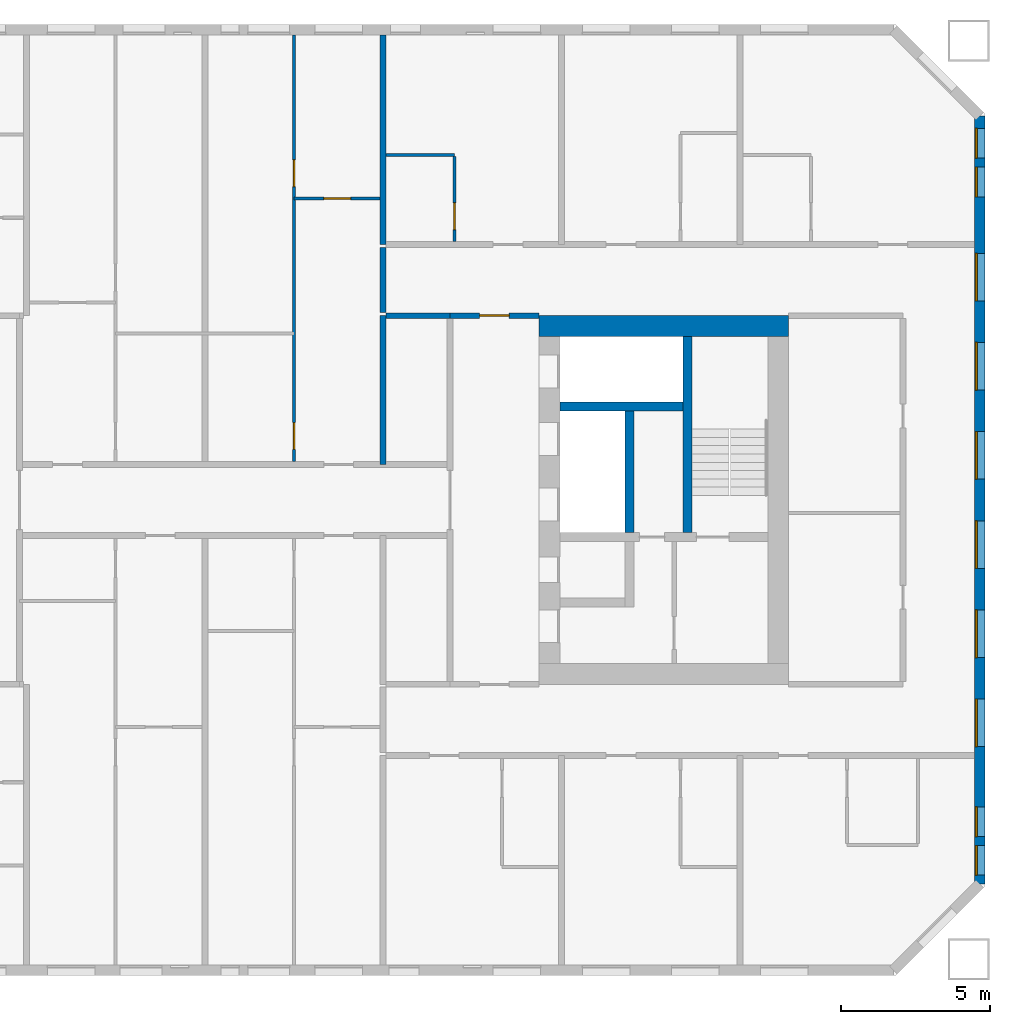
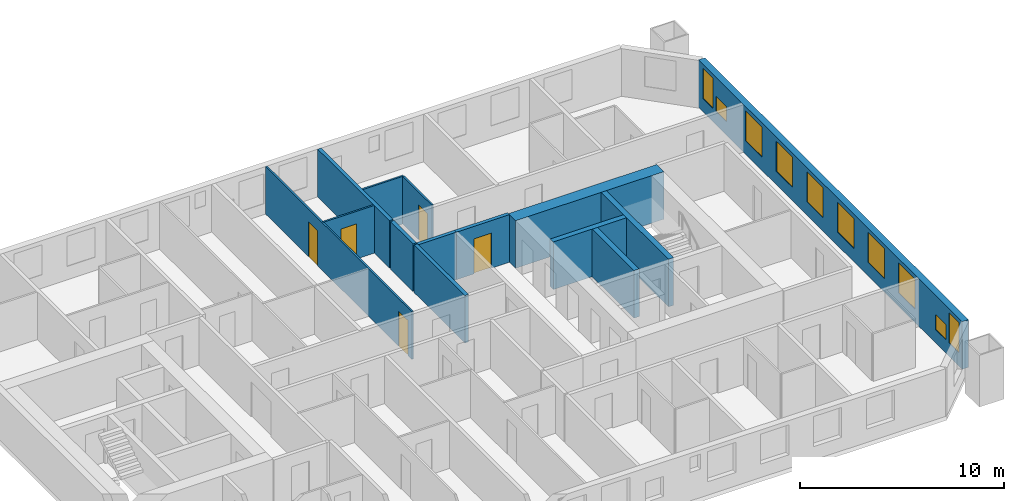
# One storey, part 13 of 17: 14 walls, 10 windows, 5 doors, 15 openings.
"""IFC4 building model written with IfcOpenShell, lengths in metres."""

from ifc_helpers import new_model, si_unit, direction, frame, frame_2d, origin, place, context, subcontext, project, spatial, rectangle, extrude, material, layer, layer_set, type_object, element, fill, save


model = new_model("IFC4")

# Units and contexts
model_context = context("Model", 3, precision=1e-05, world=origin(), true_north=direction((0.0, 1.0)))
body_context = subcontext(model_context, "Body", "Model", "MODEL_VIEW")
ifc_project = project(units=[si_unit("LENGTHUNIT", "METRE"), si_unit("AREAUNIT", "SQUARE_METRE"), si_unit("VOLUMEUNIT", "CUBIC_METRE"), si_unit("PLANEANGLEUNIT", "RADIAN"), si_unit("MASSUNIT", "GRAM", prefix="KILO")], contexts=[model_context])

# Site, building, storey
site_placement = place(None, origin())
site = spatial("IfcSite", under=ifc_project, at=site_placement, CompositionType="ELEMENT")
building_placement = place(site_placement, origin())
building = spatial("IfcBuilding", under=site, at=building_placement, Name="Tuart Gate Housing", CompositionType="ELEMENT")
storey_placement = place(building_placement, frame((0.0, 0.0, 84.0)))
storey = spatial("IfcBuildingStorey", under=building, at=storey_placement, Name="L23", CompositionType="ELEMENT", Elevation=84.0)

# Wall, openings, windows
ifc_material_1 = material(Name="Brick", Category="masonry")
ifc_layer_1 = layer(ifc_material_1, 0.360107421875)
ifc_layer_set_1 = layer_set([ifc_layer_1], Name="Brick pier and spandrel wall 360")
wall_type_1 = type_object("IfcWallType", Name="Brick pier and spandrel wall 360", PredefinedType="STANDARD", material=ifc_layer_set_1)
wall_1_placement = place(storey_placement, frame((175.070068359375, 57.07470703125, 0.0), z_axis=(0.0, 0.0, 1.0), x_axis=(0.0, 1.0, 0.0)))
wall_1 = element("IfcWall", 1, at=wall_1_placement, inside=storey, type_object=wall_type_1, Name="External wall B-E L23", PredefinedType="STANDARD", context=body_context, shape_type="SweptSolid", body=[
    extrude(rectangle(XDim=25.850830078125, YDim=0.360107421875, at=frame_2d((12.92529296875, 0.0))), origin(), (0.0, 0.0, 1.0), 2.85009765625),
])
opening_1_placement = place(wall_1_placement, frame((0.300048828125, 0.0, 0.800048828125)))
opening_1 = element("IfcOpeningElement", 2, at=opening_1_placement, cuts=wall_1, Name="Opening W1C", PredefinedType="OPENING", context=body_context, shape_type="SweptSolid", body=[
    extrude(rectangle(XDim=1.0, YDim=1.800048828125, at=frame_2d((0.5, 0.89990234375))), frame((0.0, 0.18994140625, 0.0), z_axis=(0.0, -1.0, 0.0), x_axis=(1.0, 0.0, 0.0)), (0.0, 0.0, 1.0), 0.380126953125),
])
opening_2_placement = place(wall_1_placement, frame((4.62548828125, 0.0, 0.800048828125)))
opening_2 = element("IfcOpeningElement", 3, at=opening_2_placement, cuts=wall_1, Name="Opening W1", PredefinedType="OPENING", context=body_context, shape_type="SweptSolid", body=[
    extrude(rectangle(XDim=1.60009765625, YDim=1.800048828125, at=frame_2d((0.800048828125, 0.89990234375))), frame((0.0, 0.18994140625, 0.0), z_axis=(0.0, -1.0, 0.0), x_axis=(1.0, 0.0, 0.0)), (0.0, 0.0, 1.0), 0.380126953125),
])
opening_3_placement = place(wall_1_placement, frame((7.62548828125, 0.0, 0.800048828125)))
opening_3 = element("IfcOpeningElement", 4, at=opening_3_placement, cuts=wall_1, Name="Opening W1", PredefinedType="OPENING", context=body_context, shape_type="SweptSolid", body=[
    extrude(rectangle(XDim=1.60009765625, YDim=1.800048828125, at=frame_2d((0.800048828125, 0.89990234375))), frame((0.0, 0.18994140625, 0.0), z_axis=(0.0, -1.0, 0.0), x_axis=(1.0, 0.0, 0.0)), (0.0, 0.0, 1.0), 0.380126953125),
])
opening_4_placement = place(wall_1_placement, frame((10.62548828125, 0.0, 0.800048828125)))
opening_4 = element("IfcOpeningElement", 5, at=opening_4_placement, cuts=wall_1, Name="Opening W1", PredefinedType="OPENING", context=body_context, shape_type="SweptSolid", body=[
    extrude(rectangle(XDim=1.60009765625, YDim=1.800048828125, at=frame_2d((0.800048828125, 0.89990234375))), frame((0.0, 0.18994140625, 0.0), z_axis=(0.0, -1.0, 0.0), x_axis=(1.0, 0.0, 0.0)), (0.0, 0.0, 1.0), 0.380126953125),
])
opening_5_placement = place(wall_1_placement, frame((13.62548828125, 0.0, 0.800048828125)))
opening_5 = element("IfcOpeningElement", 6, at=opening_5_placement, cuts=wall_1, Name="Opening W1", PredefinedType="OPENING", context=body_context, shape_type="SweptSolid", body=[
    extrude(rectangle(XDim=1.60009765625, YDim=1.800048828125, at=frame_2d((0.800048828125, 0.89990234375))), frame((0.0, 0.18994140625, 0.0), z_axis=(0.0, -1.0, 0.0), x_axis=(1.0, 0.0, 0.0)), (0.0, 0.0, 1.0), 0.380126953125),
])
opening_6_placement = place(wall_1_placement, frame((16.62548828125, 0.0, 0.800048828125)))
opening_6 = element("IfcOpeningElement", 7, at=opening_6_placement, cuts=wall_1, Name="Opening W1", PredefinedType="OPENING", context=body_context, shape_type="SweptSolid", body=[
    extrude(rectangle(XDim=1.60009765625, YDim=1.800048828125, at=frame_2d((0.800048828125, 0.89990234375))), frame((0.0, 0.18994140625, 0.0), z_axis=(0.0, -1.0, 0.0), x_axis=(1.0, 0.0, 0.0)), (0.0, 0.0, 1.0), 0.380126953125),
])
opening_7_placement = place(wall_1_placement, frame((19.62548828125, 0.0, 0.800048828125)))
opening_7 = element("IfcOpeningElement", 8, at=opening_7_placement, cuts=wall_1, Name="Opening W1", PredefinedType="OPENING", context=body_context, shape_type="SweptSolid", body=[
    extrude(rectangle(XDim=1.60009765625, YDim=1.800048828125, at=frame_2d((0.800048828125, 0.89990234375))), frame((0.0, 0.18994140625, 0.0), z_axis=(0.0, -1.0, 0.0), x_axis=(1.0, 0.0, 0.0)), (0.0, 0.0, 1.0), 0.380126953125),
])
opening_8_placement = place(wall_1_placement, frame((23.12548828125, 0.0, 0.800048828125)))
opening_8 = element("IfcOpeningElement", 9, at=opening_8_placement, cuts=wall_1, Name="Opening W1U", PredefinedType="OPENING", context=body_context, shape_type="SweptSolid", body=[
    extrude(rectangle(XDim=1.0, YDim=0.89990234375, at=frame_2d((0.5, 0.449951171875))), frame((0.0, 0.18994140625, 0.0), z_axis=(0.0, -1.0, 0.0), x_axis=(1.0, 0.0, 0.0)), (0.0, 0.0, 1.0), 0.380126953125),
])
opening_9_placement = place(wall_1_placement, frame((1.60009765625, 0.0, 0.800048828125)))
opening_9 = element("IfcOpeningElement", 10, at=opening_9_placement, cuts=wall_1, Name="Opening W1U", PredefinedType="OPENING", context=body_context, shape_type="SweptSolid", body=[
    extrude(rectangle(XDim=1.0, YDim=0.89990234375, at=frame_2d((0.5, 0.449951171875))), frame((0.0, 0.18994140625, 0.0), z_axis=(0.0, -1.0, 0.0), x_axis=(1.0, 0.0, 0.0)), (0.0, 0.0, 1.0), 0.380126953125),
])
opening_10_placement = place(wall_1_placement, frame((24.42529296875, 0.0, 0.800048828125)))
opening_10 = element("IfcOpeningElement", 11, at=opening_10_placement, cuts=wall_1, Name="Opening W1C", PredefinedType="OPENING", context=body_context, shape_type="SweptSolid", body=[
    extrude(rectangle(XDim=1.0, YDim=1.800048828125, at=frame_2d((0.5, 0.89990234375))), frame((0.0, 0.18994140625, 0.0), z_axis=(0.0, -1.0, 0.0), x_axis=(1.0, 0.0, 0.0)), (0.0, 0.0, 1.0), 0.380126953125),
])
ifc_material_2 = material(Name="Aluminium frame with clear glass", Category="aluminium")
window_type_1 = type_object("IfcWindowType", Name="Punched window 1000 x 1800", PartitioningType="SINGLE_PANEL", PredefinedType="WINDOW", material=ifc_material_2)
window_1_placement = place(opening_1_placement, origin())
window_1 = element("IfcWindow", 12, at=window_1_placement, inside=storey, type_object=window_type_1, Name="Window W1C", OverallHeight=1.800048828125, OverallWidth=1.0, PartitioningType="SINGLE_PANEL", PredefinedType="WINDOW", context=body_context, shape_type="SweptSolid", body=[
    extrude(rectangle(XDim=1.0, YDim=1.800048828125, at=frame_2d((0.5, 0.89990234375))), frame((0.0, 0.150146484375, 0.0), z_axis=(0.0, -1.0, 0.0), x_axis=(1.0, 0.0, 0.0)), (0.0, 0.0, 1.0), 0.06005859375),
])
fill(opening_1, window_1)
window_2_placement = place(opening_10_placement, origin())
window_2 = element("IfcWindow", 13, at=window_2_placement, inside=storey, type_object=window_type_1, Name="Window W1C", OverallHeight=1.800048828125, OverallWidth=1.0, PartitioningType="SINGLE_PANEL", PredefinedType="WINDOW", context=body_context, shape_type="SweptSolid", body=[
    extrude(rectangle(XDim=1.0, YDim=1.800048828125, at=frame_2d((0.5, 0.89990234375))), frame((0.0, 0.150146484375, 0.0), z_axis=(0.0, -1.0, 0.0), x_axis=(1.0, 0.0, 0.0)), (0.0, 0.0, 1.0), 0.06005859375),
])
fill(opening_10, window_2)
ifc_material_3 = material(Name="Aluminium frame with clear glass", Category="aluminium")
window_type_2 = type_object("IfcWindowType", Name="Punched window 1000 x 900", PartitioningType="SINGLE_PANEL", PredefinedType="WINDOW", material=ifc_material_3)
window_3_placement = place(opening_8_placement, origin())
window_3 = element("IfcWindow", 14, at=window_3_placement, inside=storey, type_object=window_type_2, Name="Window W1U", OverallHeight=0.89990234375, OverallWidth=1.0, PartitioningType="SINGLE_PANEL", PredefinedType="WINDOW", context=body_context, shape_type="SweptSolid", body=[
    extrude(rectangle(XDim=1.0, YDim=0.89990234375, at=frame_2d((0.5, 0.449951171875))), frame((0.0, 0.150146484375, 0.0), z_axis=(0.0, -1.0, 0.0), x_axis=(1.0, 0.0, 0.0)), (0.0, 0.0, 1.0), 0.06005859375),
])
fill(opening_8, window_3)
window_4_placement = place(opening_9_placement, origin())
window_4 = element("IfcWindow", 15, at=window_4_placement, inside=storey, type_object=window_type_2, Name="Window W1U", OverallHeight=0.89990234375, OverallWidth=1.0, PartitioningType="SINGLE_PANEL", PredefinedType="WINDOW", context=body_context, shape_type="SweptSolid", body=[
    extrude(rectangle(XDim=1.0, YDim=0.89990234375, at=frame_2d((0.5, 0.449951171875))), frame((0.0, 0.150146484375, 0.0), z_axis=(0.0, -1.0, 0.0), x_axis=(1.0, 0.0, 0.0)), (0.0, 0.0, 1.0), 0.06005859375),
])
fill(opening_9, window_4)
ifc_material_4 = material(Name="Aluminium frame with clear glass", Category="aluminium")
window_type_3 = type_object("IfcWindowType", Name="Punched window 1600 x 1800", PartitioningType="SINGLE_PANEL", PredefinedType="WINDOW", material=ifc_material_4)
window_5_placement = place(opening_2_placement, origin())
window_5 = element("IfcWindow", 16, at=window_5_placement, inside=storey, type_object=window_type_3, Name="Window W1", OverallHeight=1.800048828125, OverallWidth=1.60009765625, PartitioningType="SINGLE_PANEL", PredefinedType="WINDOW", context=body_context, shape_type="SweptSolid", body=[
    extrude(rectangle(XDim=1.60009765625, YDim=1.800048828125, at=frame_2d((0.800048828125, 0.89990234375))), frame((0.0, 0.150146484375, 0.0), z_axis=(0.0, -1.0, 0.0), x_axis=(1.0, 0.0, 0.0)), (0.0, 0.0, 1.0), 0.06005859375),
])
fill(opening_2, window_5)
window_6_placement = place(opening_3_placement, origin())
window_6 = element("IfcWindow", 17, at=window_6_placement, inside=storey, type_object=window_type_3, Name="Window W1", OverallHeight=1.800048828125, OverallWidth=1.60009765625, PartitioningType="SINGLE_PANEL", PredefinedType="WINDOW", context=body_context, shape_type="SweptSolid", body=[
    extrude(rectangle(XDim=1.60009765625, YDim=1.800048828125, at=frame_2d((0.800048828125, 0.89990234375))), frame((0.0, 0.150146484375, 0.0), z_axis=(0.0, -1.0, 0.0), x_axis=(1.0, 0.0, 0.0)), (0.0, 0.0, 1.0), 0.06005859375),
])
fill(opening_3, window_6)
window_7_placement = place(opening_4_placement, origin())
window_7 = element("IfcWindow", 18, at=window_7_placement, inside=storey, type_object=window_type_3, Name="Window W1", OverallHeight=1.800048828125, OverallWidth=1.60009765625, PartitioningType="SINGLE_PANEL", PredefinedType="WINDOW", context=body_context, shape_type="SweptSolid", body=[
    extrude(rectangle(XDim=1.60009765625, YDim=1.800048828125, at=frame_2d((0.800048828125, 0.89990234375))), frame((0.0, 0.150146484375, 0.0), z_axis=(0.0, -1.0, 0.0), x_axis=(1.0, 0.0, 0.0)), (0.0, 0.0, 1.0), 0.06005859375),
])
fill(opening_4, window_7)
window_8_placement = place(opening_5_placement, origin())
window_8 = element("IfcWindow", 19, at=window_8_placement, inside=storey, type_object=window_type_3, Name="Window W1", OverallHeight=1.800048828125, OverallWidth=1.60009765625, PartitioningType="SINGLE_PANEL", PredefinedType="WINDOW", context=body_context, shape_type="SweptSolid", body=[
    extrude(rectangle(XDim=1.60009765625, YDim=1.800048828125, at=frame_2d((0.800048828125, 0.89990234375))), frame((0.0, 0.150146484375, 0.0), z_axis=(0.0, -1.0, 0.0), x_axis=(1.0, 0.0, 0.0)), (0.0, 0.0, 1.0), 0.06005859375),
])
fill(opening_5, window_8)
window_9_placement = place(opening_6_placement, origin())
window_9 = element("IfcWindow", 20, at=window_9_placement, inside=storey, type_object=window_type_3, Name="Window W1", OverallHeight=1.800048828125, OverallWidth=1.60009765625, PartitioningType="SINGLE_PANEL", PredefinedType="WINDOW", context=body_context, shape_type="SweptSolid", body=[
    extrude(rectangle(XDim=1.60009765625, YDim=1.800048828125, at=frame_2d((0.800048828125, 0.89990234375))), frame((0.0, 0.150146484375, 0.0), z_axis=(0.0, -1.0, 0.0), x_axis=(1.0, 0.0, 0.0)), (0.0, 0.0, 1.0), 0.06005859375),
])
fill(opening_6, window_9)
window_10_placement = place(opening_7_placement, origin())
window_10 = element("IfcWindow", 21, at=window_10_placement, inside=storey, type_object=window_type_3, Name="Window W1", OverallHeight=1.800048828125, OverallWidth=1.60009765625, PartitioningType="SINGLE_PANEL", PredefinedType="WINDOW", context=body_context, shape_type="SweptSolid", body=[
    extrude(rectangle(XDim=1.60009765625, YDim=1.800048828125, at=frame_2d((0.800048828125, 0.89990234375))), frame((0.0, 0.150146484375, 0.0), z_axis=(0.0, -1.0, 0.0), x_axis=(1.0, 0.0, 0.0)), (0.0, 0.0, 1.0), 0.06005859375),
])
fill(opening_7, window_10)

# Walls
ifc_material_5 = material(Name="Concrete C50", Category="concrete")
ifc_layer_2 = layer(ifc_material_5, 0.300048828125)
ifc_layer_set_2 = layer_set([ifc_layer_2], Name="Core wall 300 C50")
wall_type_2 = type_object("IfcWallType", Name="Core wall 300 C50", PredefinedType="SHEAR", material=ifc_layer_set_2)
wall_2_placement = place(storey_placement, frame((160.93994140625, 73.14990234375, 0.0), z_axis=(0.0, 0.0, 1.0), x_axis=(1.0, 0.0, 0.0)))
element("IfcWall", 22, at=wall_2_placement, inside=storey, type_object=wall_type_2, Name="Core wall BK.1", PredefinedType="SHEAR", context=body_context, shape_type="SweptSolid", body=[
    extrude(rectangle(XDim=4.150146484375, YDim=0.300048828125, at=frame_2d((2.0751953125, 0.0))), origin(), (0.0, 0.0, 1.0), 2.85009765625),
])
wall_3_placement = place(storey_placement, frame((163.2900390625, 73.0, 0.0), z_axis=(0.0, 0.0, 1.0), x_axis=(0.0, -1.0, 0.0)))
element("IfcWall", 23, at=wall_3_placement, inside=storey, type_object=wall_type_2, Name="Core wall BK.4", PredefinedType="SHEAR", context=body_context, shape_type="SweptSolid", body=[
    extrude(rectangle(XDim=4.10009765625, YDim=0.300048828125, at=frame_2d((2.050048828125, 0.0))), origin(), (0.0, 0.0, 1.0), 2.85009765625),
])
wall_4_placement = place(storey_placement, frame((165.239990234375, 75.5, 0.0), z_axis=(0.0, 0.0, 1.0), x_axis=(0.0, -1.0, 0.0)))
element("IfcWall", 24, at=wall_4_placement, inside=storey, type_object=wall_type_2, Name="Core wall BK.7", PredefinedType="SHEAR", context=body_context, shape_type="SweptSolid", body=[
    extrude(rectangle(XDim=6.60009765625, YDim=0.300048828125, at=frame_2d((3.300048828125, 0.0))), origin(), (0.0, 0.0, 1.0), 2.85009765625),
])
ifc_material_6 = material(Name="Concrete C50", Category="concrete")
ifc_layer_3 = layer(ifc_material_6, 0.699951171875)
ifc_layer_set_3 = layer_set([ifc_layer_3], Name="Core wall 700 C50")
wall_type_3 = type_object("IfcWallType", Name="Core wall 700 C50", PredefinedType="SHEAR", material=ifc_layer_set_3)
wall_5_placement = place(storey_placement, frame((160.239990234375, 75.85009765625, 0.0), z_axis=(0.0, 0.0, 1.0), x_axis=(1.0, 0.0, 0.0)))
element("IfcWall", 25, at=wall_5_placement, inside=storey, type_object=wall_type_3, Name="Core wall BK south", PredefinedType="SHEAR", context=body_context, shape_type="SweptSolid", body=[
    extrude(rectangle(XDim=8.39990234375, YDim=0.699951171875, at=frame_2d((4.199951171875, 0.0))), origin(), (0.0, 0.0, 1.0), 2.85009765625),
])
ifc_material_7 = material(Name="Concrete masonry 15 MPa", Category="masonry")
ifc_layer_4 = layer(ifc_material_7, 0.199951171875)
ifc_layer_set_4 = layer_set([ifc_layer_4], Name="Corridor wall masonry 200")
wall_type_4 = type_object("IfcWallType", Name="Corridor wall masonry 200", PredefinedType="PARTITIONING", material=ifc_layer_set_4)
wall_6_placement = place(storey_placement, frame((155.10009765625, 76.199951171875, 0.0), z_axis=(0.0, 0.0, 1.0), x_axis=(1.0, 0.0, 0.0)))
element("IfcWall", 26, at=wall_6_placement, inside=storey, type_object=wall_type_4, Name="Corridor wall masonry 200", PredefinedType="PARTITIONING", context=body_context, shape_type="SweptSolid", body=[
    extrude(rectangle(XDim=2.139892578125, YDim=0.199951171875, at=frame_2d((1.06982421875, 0.0))), origin(), (0.0, 0.0, 1.0), 2.85009765625),
])
wall_7_placement = place(storey_placement, frame((155.0, 76.300048828125, 0.0), z_axis=(0.0, 0.0, 1.0), x_axis=(0.0, 1.0, 0.0)))
element("IfcWall", 27, at=wall_7_placement, inside=storey, type_object=wall_type_4, Name="Corridor wall masonry 200", PredefinedType="PARTITIONING", context=body_context, shape_type="SweptSolid", body=[
    extrude(rectangle(XDim=2.199951171875, YDim=0.199951171875, at=frame_2d((1.10009765625, 0.0))), origin(), (0.0, 0.0, 1.0), 2.85009765625),
])

# Wall, opening, door
ifc_material_8 = material(Name="Concrete masonry 15 MPa", Category="masonry")
ifc_layer_5 = layer(ifc_material_8, 0.199951171875)
ifc_layer_set_5 = layer_set([ifc_layer_5], Name="Enclosure wall masonry 200")
wall_type_5 = type_object("IfcWallType", Name="Enclosure wall masonry 200", PredefinedType="PARTITIONING", material=ifc_layer_set_5)
wall_8_placement = place(storey_placement, frame((157.239990234375, 76.199951171875, 0.0), z_axis=(0.0, 0.0, 1.0), x_axis=(1.0, 0.0, 0.0)))
wall_8 = element("IfcWall", 28, at=wall_8_placement, inside=storey, type_object=wall_type_5, Name="Enclosure wall masonry 200", PredefinedType="PARTITIONING", context=body_context, shape_type="SweptSolid", body=[
    extrude(rectangle(XDim=3.0, YDim=0.199951171875, at=frame_2d((1.5, 0.0))), origin(), (0.0, 0.0, 1.0), 2.85009765625),
])
opening_11_placement = place(wall_8_placement, frame((1.0, 0.0, 0.0)))
opening_11 = element("IfcOpeningElement", 29, at=opening_11_placement, cuts=wall_8, Name="Opening D1030", PredefinedType="OPENING", context=body_context, shape_type="SweptSolid", body=[
    extrude(rectangle(XDim=1.0, YDim=2.10009765625, at=frame_2d((0.5, 1.050048828125))), frame((0.0, 0.10986328125, 0.0), z_axis=(0.0, -1.0, 0.0), x_axis=(1.0, 0.0, 0.0)), (0.0, 0.0, 1.0), 0.219970703125),
])
ifc_material_9 = material(Name="Timber door leaf in steel frame", Category="steel")
door_type_1 = type_object("IfcDoorType", Name="Fire door 1000", OperationType="SINGLE_SWING_LEFT", PredefinedType="DOOR", material=ifc_material_9)
door_1_placement = place(opening_11_placement, origin())
door_1 = element("IfcDoor", 30, at=door_1_placement, inside=storey, type_object=door_type_1, Name="Fire door", OperationType="SINGLE_SWING_LEFT", OverallHeight=2.10009765625, OverallWidth=1.0, PredefinedType="DOOR", context=body_context, shape_type="SweptSolid", body=[
    extrude(rectangle(XDim=1.0, YDim=2.10009765625, at=frame_2d((0.5, 1.050048828125))), frame((0.0, 0.02490234375, 0.0), z_axis=(0.0, -1.0, 0.0), x_axis=(1.0, 0.0, 0.0)), (0.0, 0.0, 1.0), 0.050048828125),
])
fill(opening_11, door_1)

ifc_material_10 = material(Name="Gypsum board on steel studs", Category="steel")
ifc_layer_6 = layer(ifc_material_10, 0.10009765625)
ifc_layer_set_6 = layer_set([ifc_layer_6], Name="Partition 100")
wall_type_6 = type_object("IfcWallType", Name="Partition 100", PredefinedType="PARTITIONING", material=ifc_layer_set_6)
wall_9_placement = place(storey_placement, frame((152.0, 80.139892578125, 0.0), z_axis=(0.0, 0.0, 1.0), x_axis=(1.0, 0.0, 0.0)))
wall_9 = element("IfcWall", 31, at=wall_9_placement, inside=storey, type_object=wall_type_6, Name="Partition 100", PredefinedType="PARTITIONING", context=body_context, shape_type="SweptSolid", body=[
    extrude(rectangle(XDim=2.89990234375, YDim=0.10009765625, at=frame_2d((1.449951171875, 0.0))), origin(), (0.0, 0.0, 1.0), 2.85009765625),
])
opening_12_placement = place(wall_9_placement, frame((1.0, 0.0, 0.0)))
opening_12 = element("IfcOpeningElement", 32, at=opening_12_placement, cuts=wall_9, Name="Opening D1016", PredefinedType="OPENING", context=body_context, shape_type="SweptSolid", body=[
    extrude(rectangle(XDim=0.89990234375, YDim=2.10009765625, at=frame_2d((0.449951171875, 1.050048828125))), frame((0.0, 0.06005859375, 0.0), z_axis=(0.0, -1.0, 0.0), x_axis=(1.0, 0.0, 0.0)), (0.0, 0.0, 1.0), 0.1201171875),
])
ifc_material_11 = material(Name="Timber door leaf in steel frame", Category="steel")
door_type_2 = type_object("IfcDoorType", Name="Internal door 900 RH", OperationType="SINGLE_SWING_RIGHT", PredefinedType="DOOR", material=ifc_material_11)
door_2_placement = place(opening_12_placement, frame((0.89990234375, 0.0, 0.0), z_axis=(0.0, 0.0, 1.0), x_axis=(-1.0, 0.0, 0.0)))
door_2 = element("IfcDoor", 33, at=door_2_placement, inside=storey, type_object=door_type_2, Name="Internal door", OperationType="SINGLE_SWING_RIGHT", OverallHeight=2.10009765625, OverallWidth=0.89990234375, PredefinedType="DOOR", context=body_context, shape_type="SweptSolid", body=[
    extrude(rectangle(XDim=0.89990234375, YDim=2.10009765625, at=frame_2d((0.449951171875, 1.050048828125))), frame((0.0, 0.025146484375, 0.0), z_axis=(0.0, -1.0, 0.0), x_axis=(1.0, 0.0, 0.0)), (0.0, 0.0, 1.0), 0.050048828125),
])
fill(opening_12, door_2)

# Wall
wall_10_placement = place(storey_placement, frame((155.10009765625, 81.60009765625, 0.0), z_axis=(0.0, 0.0, 1.0), x_axis=(1.0, 0.0, 0.0)))
element("IfcWall", 34, at=wall_10_placement, inside=storey, type_object=wall_type_6, Name="Partition 100", PredefinedType="PARTITIONING", context=body_context, shape_type="SweptSolid", body=[
    extrude(rectangle(XDim=2.2998046875, YDim=0.10009765625, at=frame_2d((1.14990234375, 0.0))), origin(), (0.0, 0.0, 1.0), 2.85009765625),
])

# Wall, openings, doors
wall_11_placement = place(storey_placement, frame((152.0, 71.300048828125, 0.0), z_axis=(0.0, 0.0, 1.0), x_axis=(0.0, 1.0, 0.0)))
wall_11 = element("IfcWall", 35, at=wall_11_placement, inside=storey, type_object=wall_type_6, Name="Partition 100", PredefinedType="PARTITIONING", context=body_context, shape_type="SweptSolid", body=[
    extrude(rectangle(XDim=14.33984375, YDim=0.10009765625, at=frame_2d((7.169921875, 0.0))), origin(), (0.0, 0.0, 1.0), 2.85009765625),
])
opening_13_placement = place(wall_11_placement, frame((9.239990234375, 0.0, 0.0)))
opening_13 = element("IfcOpeningElement", 36, at=opening_13_placement, cuts=wall_11, Name="Opening D1027", PredefinedType="OPENING", context=body_context, shape_type="SweptSolid", body=[
    extrude(rectangle(XDim=0.89990234375, YDim=2.10009765625, at=frame_2d((0.449951171875, 1.050048828125))), frame((0.0, 0.06005859375, 0.0), z_axis=(0.0, -1.0, 0.0), x_axis=(1.0, 0.0, 0.0)), (0.0, 0.0, 1.0), 0.1201171875),
])
opening_14_placement = place(wall_11_placement, frame((0.39990234375, 0.0, 0.0)))
opening_14 = element("IfcOpeningElement", 37, at=opening_14_placement, cuts=wall_11, Name="Opening D1026", PredefinedType="OPENING", context=body_context, shape_type="SweptSolid", body=[
    extrude(rectangle(XDim=0.89990234375, YDim=2.10009765625, at=frame_2d((0.449951171875, 1.050048828125))), frame((0.0, 0.06005859375, 0.0), z_axis=(0.0, -1.0, 0.0), x_axis=(1.0, 0.0, 0.0)), (0.0, 0.0, 1.0), 0.1201171875),
])
ifc_material_12 = material(Name="Timber door leaf in steel frame", Category="steel")
door_type_3 = type_object("IfcDoorType", Name="Bathroom door 900", OperationType="SINGLE_SWING_LEFT", PredefinedType="DOOR", material=ifc_material_12)
door_3_placement = place(opening_14_placement, origin())
door_3 = element("IfcDoor", 38, at=door_3_placement, inside=storey, type_object=door_type_3, Name="Bathroom door", OperationType="SINGLE_SWING_LEFT", OverallHeight=2.10009765625, OverallWidth=0.89990234375, PredefinedType="DOOR", context=body_context, shape_type="SweptSolid", body=[
    extrude(rectangle(XDim=0.89990234375, YDim=2.10009765625, at=frame_2d((0.449951171875, 1.050048828125))), frame((0.0, 0.02490234375, 0.0), z_axis=(0.0, -1.0, 0.0), x_axis=(1.0, 0.0, 0.0)), (0.0, 0.0, 1.0), 0.050048828125),
])
fill(opening_14, door_3)
door_4_placement = place(opening_13_placement, origin())
door_4 = element("IfcDoor", 39, at=door_4_placement, inside=storey, type_object=door_type_2, Name="Internal door", OperationType="SINGLE_SWING_RIGHT", OverallHeight=2.10009765625, OverallWidth=0.89990234375, PredefinedType="DOOR", context=body_context, shape_type="SweptSolid", body=[
    extrude(rectangle(XDim=0.89990234375, YDim=2.10009765625, at=frame_2d((0.449951171875, 1.050048828125))), frame((0.0, 0.02490234375, 0.0), z_axis=(0.0, -1.0, 0.0), x_axis=(1.0, 0.0, 0.0)), (0.0, 0.0, 1.0), 0.050048828125),
])
fill(opening_13, door_4)

# Wall, opening, door
wall_12_placement = place(storey_placement, frame((157.39990234375, 78.699951171875, 0.0), z_axis=(0.0, 0.0, 1.0), x_axis=(0.0, 1.0, 0.0)))
wall_12 = element("IfcWall", 40, at=wall_12_placement, inside=storey, type_object=wall_type_6, Name="Partition 100", PredefinedType="PARTITIONING", context=body_context, shape_type="SweptSolid", body=[
    extrude(rectangle(XDim=2.85009765625, YDim=0.10009765625, at=frame_2d((1.425048828125, 0.0))), origin(), (0.0, 0.0, 1.0), 2.85009765625),
])
opening_15_placement = place(wall_12_placement, frame((0.39990234375, 0.0, 0.0)))
opening_15 = element("IfcOpeningElement", 41, at=opening_15_placement, cuts=wall_12, Name="Opening D1017", PredefinedType="OPENING", context=body_context, shape_type="SweptSolid", body=[
    extrude(rectangle(XDim=0.89990234375, YDim=2.10009765625, at=frame_2d((0.449951171875, 1.050048828125))), frame((0.0, 0.06005859375, 0.0), z_axis=(0.0, -1.0, 0.0), x_axis=(1.0, 0.0, 0.0)), (0.0, 0.0, 1.0), 0.1201171875),
])
door_5_placement = place(opening_15_placement, origin())
door_5 = element("IfcDoor", 42, at=door_5_placement, inside=storey, type_object=door_type_3, Name="Bathroom door", OperationType="SINGLE_SWING_LEFT", OverallHeight=2.10009765625, OverallWidth=0.89990234375, PredefinedType="DOOR", context=body_context, shape_type="SweptSolid", body=[
    extrude(rectangle(XDim=0.89990234375, YDim=2.10009765625, at=frame_2d((0.449951171875, 1.050048828125))), frame((0.0, 0.02490234375, 0.0), z_axis=(0.0, -1.0, 0.0), x_axis=(1.0, 0.0, 0.0)), (0.0, 0.0, 1.0), 0.050048828125),
])
fill(opening_15, door_5)

# Walls
ifc_material_13 = material(Name="Concrete C40", Category="concrete")
ifc_layer_7 = layer(ifc_material_13, 0.199951171875)
ifc_layer_set_7 = layer_set([ifc_layer_7], Name="Party wall concrete C40 200")
wall_type_7 = type_object("IfcWallType", Name="Party wall concrete C40 200", PredefinedType="SOLIDWALL", material=ifc_layer_set_7)
wall_13_placement = place(storey_placement, frame((155.0, 71.199951171875, 0.0), z_axis=(0.0, 0.0, 1.0), x_axis=(0.0, 1.0, 0.0)))
element("IfcWall", 43, at=wall_13_placement, inside=storey, type_object=wall_type_7, Name="Party wall concrete C40 200", PredefinedType="SOLIDWALL", context=body_context, shape_type="SweptSolid", body=[
    extrude(rectangle(XDim=5.0, YDim=0.199951171875, at=frame_2d((2.5, 0.0))), origin(), (0.0, 0.0, 1.0), 2.85009765625),
])
wall_14_placement = place(storey_placement, frame((155.0, 78.60009765625, 0.0), z_axis=(0.0, 0.0, 1.0), x_axis=(0.0, 1.0, 0.0)))
element("IfcWall", 44, at=wall_14_placement, inside=storey, type_object=wall_type_7, Name="Party wall concrete C40 200", PredefinedType="SOLIDWALL", context=body_context, shape_type="SweptSolid", body=[
    extrude(rectangle(XDim=7.039794921875, YDim=0.199951171875, at=frame_2d((3.52001953125, 0.0))), origin(), (0.0, 0.0, 1.0), 2.85009765625),
])

save(model, "model.ifc")
